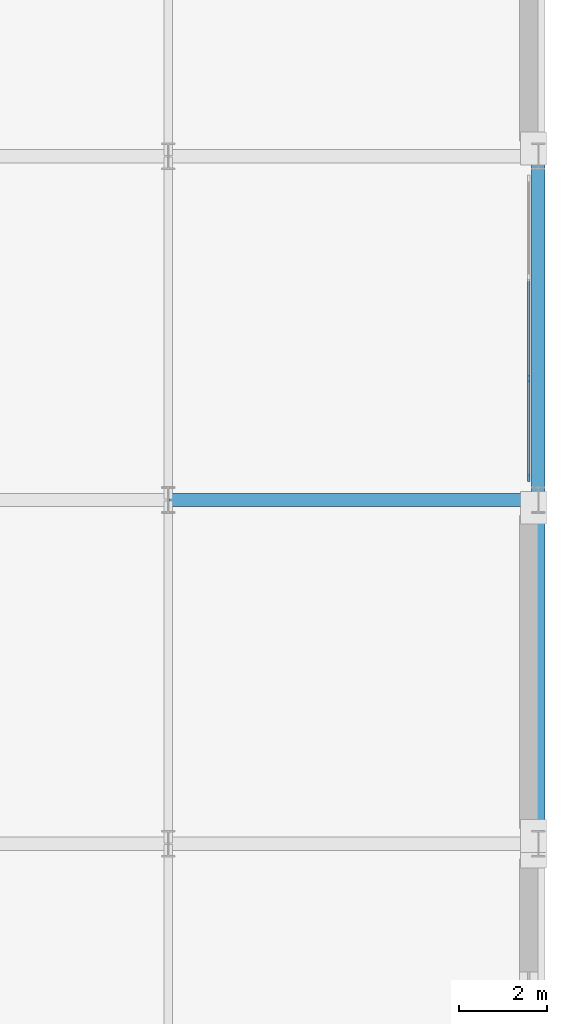
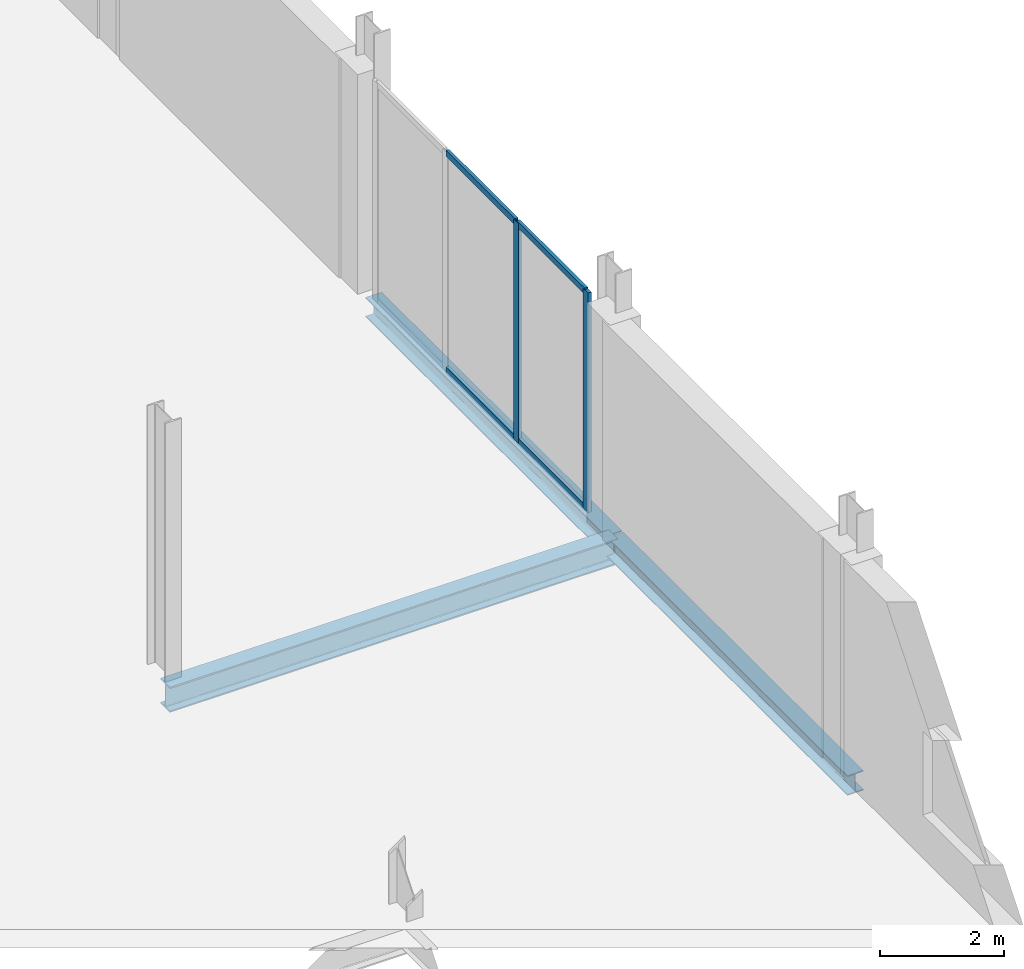
# One storey, part 60 of 105: 6 members, 3 beams, 1 element without a shape of its own.
"""IFC4 building model written with IfcOpenShell, lengths in metres."""

from ifc_helpers import new_model, si_unit, direction, frame, origin, origin_2d, place, context, subcontext, project, spatial, rectangle, i_section, extrude, material, material_profile, profile_set, type_object, element, aggregate, save


model = new_model("IFC4")

# Units and contexts
model_context = context("Model", 3, precision=1e-05, world=origin(), true_north=direction((0.0, 1.0)))
body_context = subcontext(model_context, "Body", "Model", "MODEL_VIEW")
ifc_project = project(units=[si_unit("LENGTHUNIT", "METRE"), si_unit("AREAUNIT", "SQUARE_METRE"), si_unit("VOLUMEUNIT", "CUBIC_METRE"), si_unit("PLANEANGLEUNIT", "RADIAN"), si_unit("MASSUNIT", "GRAM", prefix="KILO")], contexts=[model_context])

# Site, building, storey
site_placement = place(None, origin())
site = spatial("IfcSite", under=ifc_project, at=site_placement, CompositionType="ELEMENT")
building_placement = place(site_placement, origin())
building = spatial("IfcBuilding", under=site, at=building_placement, Name="Nabrawat Pavilion Hospital", CompositionType="ELEMENT")
storey_placement = place(building_placement, frame((0.0, 0.0, 5.10009765625)))
storey = spatial("IfcBuildingStorey", under=building, at=storey_placement, Name="L01", CompositionType="ELEMENT", Elevation=5.10009765625)

# Curtain wall, members
ifc_material_1 = material(Name="Anodised Aluminium", Category="aluminium")
curtain_wall_type = type_object("IfcCurtainWallType", Name="Inpatient Dayroom Bay Curtain Wall", PredefinedType="USERDEFINED", material=ifc_material_1)
curtain_wall_placement = place(storey_placement, origin())
curtain_wall = element("IfcCurtainWall", 1, at=curtain_wall_placement, inside=storey, type_object=curtain_wall_type, Name="L01 Inpatient Dayroom Bay Curtain Wall 094", ObjectType="CURTAIN WALL", PredefinedType="USERDEFINED")
ifc_material_profile_1 = material_profile(ifc_material_1, rectangle(XDim=0.06005859375, YDim=0.159912109375, at=origin_2d()), Name="CWM 60x160")
ifc_profile_set_1 = profile_set([ifc_material_profile_1], Name="Anodised Aluminium")
member_type_1 = type_object("IfcMemberType", Name="Inpatient Dayroom Bay Curtain Wall Mullion CWM 60x160", PredefinedType="MULLION", material=ifc_profile_set_1)
member_1_placement = place(storey_placement, frame((192.97998046875, 55.10009765625, 0.0), z_axis=(0.0, 0.0, 1.0), x_axis=(-1.0, 0.0, 0.0)))
member_1 = element("IfcMember", 2, at=member_1_placement, type_object=member_type_1, Name="CW-WRD-01 mullion 1", PredefinedType="MULLION", context=body_context, shape_type="SweptSolid", body=[
    extrude(rectangle(XDim=0.06005859375, YDim=0.159912109375, at=origin_2d()), origin(), (0.0, 0.0, 1.0), 4.329833984375),
])
member_2_placement = place(storey_placement, frame((192.97998046875, 57.356689453125, 0.0), z_axis=(0.0, 0.0, 1.0), x_axis=(-1.0, 0.0, 0.0)))
member_2 = element("IfcMember", 3, at=member_2_placement, type_object=member_type_1, Name="CW-WRD-01 mullion 2", PredefinedType="MULLION", context=body_context, shape_type="SweptSolid", body=[
    extrude(rectangle(XDim=0.06005859375, YDim=0.159912109375, at=origin_2d()), origin(), (0.0, 0.0, 1.0), 4.329833984375),
])
ifc_material_profile_2 = material_profile(ifc_material_1, rectangle(XDim=0.06005859375, YDim=0.1201171875, at=origin_2d()), Name="CWT 60x120")
ifc_profile_set_2 = profile_set([ifc_material_profile_2], Name="Anodised Aluminium")
member_type_2 = type_object("IfcMemberType", Name="Inpatient Dayroom Bay Curtain Wall Transom CWT 60x120", PredefinedType="USERDEFINED", material=ifc_profile_set_2)
member_3_placement = place(storey_placement, frame((192.97998046875, 55.1298828125, 0.02978515625), z_axis=(0.0, 1.0, 0.0), x_axis=(-1.0, 0.0, 0.0)))
member_3 = element("IfcMember", 4, at=member_3_placement, type_object=member_type_2, Name="CW-WRD-01 transom 1.1", ObjectType="TRANSOM", PredefinedType="USERDEFINED", context=body_context, shape_type="SweptSolid", body=[
    extrude(rectangle(XDim=0.06005859375, YDim=0.1201171875, at=origin_2d()), origin(), (0.0, 0.0, 1.0), 2.19677734375),
])
member_4_placement = place(storey_placement, frame((192.97998046875, 55.1298828125, 4.2998046875), z_axis=(0.0, 1.0, 0.0), x_axis=(-1.0, 0.0, 0.0)))
member_4 = element("IfcMember", 5, at=member_4_placement, type_object=member_type_2, Name="CW-WRD-01 transom 1.2", ObjectType="TRANSOM", PredefinedType="USERDEFINED", context=body_context, shape_type="SweptSolid", body=[
    extrude(rectangle(XDim=0.06005859375, YDim=0.1201171875, at=origin_2d()), origin(), (0.0, 0.0, 1.0), 2.19677734375),
])
member_5_placement = place(storey_placement, frame((192.97998046875, 57.38671875, 0.02978515625), z_axis=(0.0, 1.0, 0.0), x_axis=(-1.0, 0.0, 0.0)))
member_5 = element("IfcMember", 6, at=member_5_placement, type_object=member_type_2, Name="CW-WRD-01 transom 2.1", ObjectType="TRANSOM", PredefinedType="USERDEFINED", context=body_context, shape_type="SweptSolid", body=[
    extrude(rectangle(XDim=0.06005859375, YDim=0.1201171875, at=origin_2d()), origin(), (0.0, 0.0, 1.0), 2.2265625),
])
member_6_placement = place(storey_placement, frame((192.97998046875, 57.38671875, 4.2998046875), z_axis=(0.0, 1.0, 0.0), x_axis=(-1.0, 0.0, 0.0)))
member_6 = element("IfcMember", 7, at=member_6_placement, type_object=member_type_2, Name="CW-WRD-01 transom 2.2", ObjectType="TRANSOM", PredefinedType="USERDEFINED", context=body_context, shape_type="SweptSolid", body=[
    extrude(rectangle(XDim=0.06005859375, YDim=0.1201171875, at=origin_2d()), origin(), (0.0, 0.0, 1.0), 2.2265625),
])
aggregate(curtain_wall, [member_1, member_2, member_3, member_4, member_5, member_6])

# Beams
ifc_material_2 = material(Name="Steel S355", Category="steel")
ifc_material_profile_3 = material_profile(ifc_material_2, i_section(OverallWidth=0.300048828125, OverallDepth=0.389892578125, WebThickness=0.010986328125, FlangeThickness=0.01904296875, FilletRadius=0.027099609375, at=origin_2d()), Name="HEA 400")
ifc_profile_set_3 = profile_set([ifc_material_profile_3], Name="Steel S355")
beam_type_1 = type_object("IfcBeamType", Name="Perimeter Moment Spandrel Beam HEA 400", PredefinedType="SPANDREL", material=ifc_profile_set_3)
beam_1_placement = place(storey_placement, frame((193.199951171875, 46.820068359375, -0.445068359375), z_axis=(0.0, 1.0, 0.0), x_axis=(-1.0, 0.0, 0.0)))
element("IfcBeam", 8, at=beam_1_placement, inside=storey, type_object=beam_type_1, Name="L01 Primary Y Beam 917", PredefinedType="SPANDREL", context=body_context, shape_type="SweptSolid", body=[
    extrude(i_section(OverallWidth=0.300048828125, OverallDepth=0.389892578125, WebThickness=0.010986328125, FlangeThickness=0.01904296875, FilletRadius=0.027099609375, at=origin_2d()), origin(), (0.0, 0.0, 1.0), 7.760009765625),
])
beam_2_placement = place(storey_placement, frame((193.199951171875, 54.6201171875, -0.445068359375), z_axis=(0.0, 1.0, 0.0), x_axis=(-1.0, 0.0, 0.0)))
element("IfcBeam", 9, at=beam_2_placement, inside=storey, type_object=beam_type_1, Name="L01 Primary Y Beam 918", PredefinedType="SPANDREL", context=body_context, shape_type="SweptSolid", body=[
    extrude(i_section(OverallWidth=0.300048828125, OverallDepth=0.389892578125, WebThickness=0.010986328125, FlangeThickness=0.01904296875, FilletRadius=0.027099609375, at=origin_2d()), origin(), (0.0, 0.0, 1.0), 7.759765625),
])
ifc_material_profile_4 = material_profile(ifc_material_2, i_section(OverallWidth=0.300048828125, OverallDepth=0.5, WebThickness=0.014404296875, FlangeThickness=0.028076171875, FilletRadius=0.027099609375, at=origin_2d()), Name="HEB 500")
ifc_profile_set_4 = profile_set([ifc_material_profile_4], Name="Steel S355")
beam_type_2 = type_object("IfcBeamType", Name="Primary Floor Girder HEB 500", PredefinedType="USERDEFINED", material=ifc_profile_set_4)
beam_3_placement = place(storey_placement, frame((184.820068359375, 54.60009765625, -0.5), z_axis=(1.0, 0.0, 0.0), x_axis=(0.0, 1.0, 0.0)))
element("IfcBeam", 10, at=beam_3_placement, inside=storey, type_object=beam_type_2, Name="L01 Primary X Girder 561", ObjectType="GIRDER", PredefinedType="USERDEFINED", context=body_context, shape_type="SweptSolid", body=[
    extrude(i_section(OverallWidth=0.300048828125, OverallDepth=0.5, WebThickness=0.014404296875, FlangeThickness=0.028076171875, FilletRadius=0.027099609375, at=origin_2d()), origin(), (0.0, 0.0, 1.0), 8.35986328125),
])

save(model, "model.ifc")
